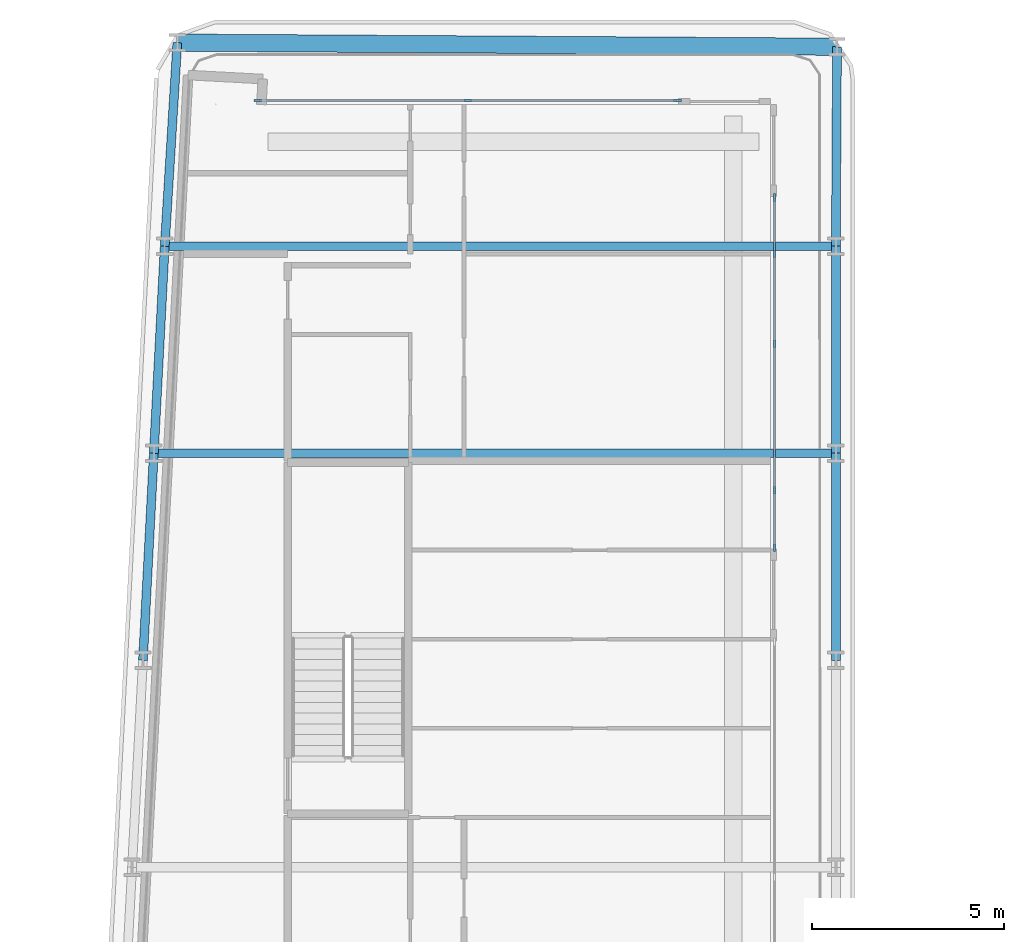
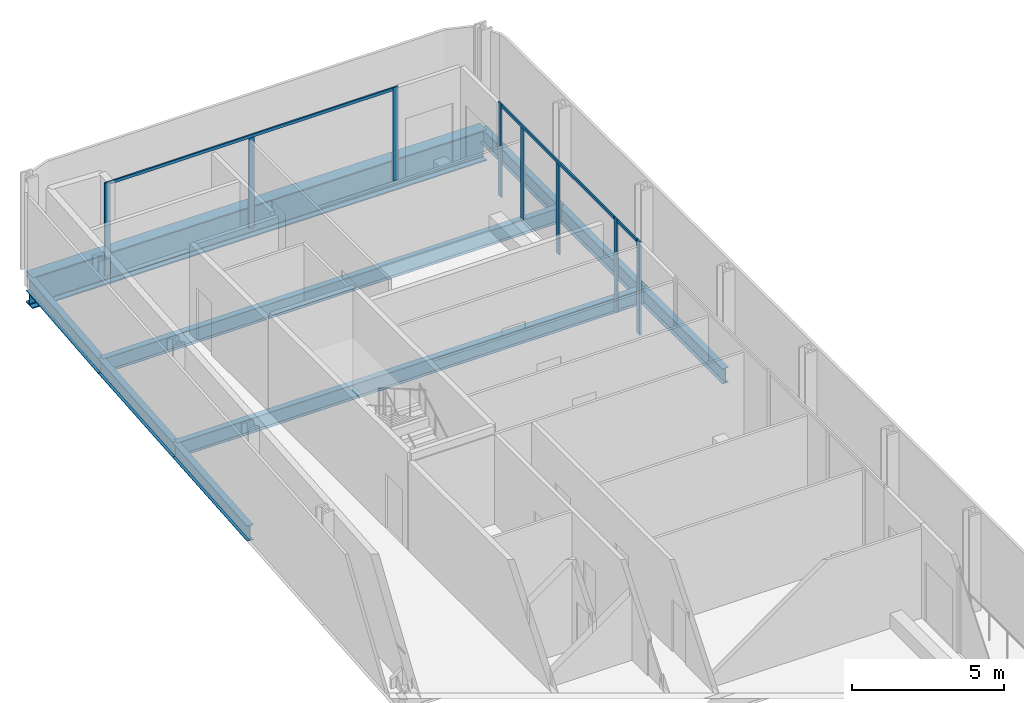
# One storey, part 9 of 29: 11 members, 9 beams, 3 elements without a shape of their own.
"""IFC4 building model written with IfcOpenShell, lengths in metres."""

from ifc_helpers import new_model, si_unit, direction, frame, origin, origin_2d, place, context, subcontext, project, spatial, rectangle, i_section, extrude, material, layer, layer_set, material_profile, profile_set, type_object, element, aggregate, save


model = new_model("IFC4")

# Units and contexts
model_context = context("Model", 3, precision=1e-05, world=origin(), true_north=direction((0.0, 1.0)))
body_context = subcontext(model_context, "Body", "Model", "MODEL_VIEW")
ifc_project = project(units=[si_unit("LENGTHUNIT", "METRE"), si_unit("AREAUNIT", "SQUARE_METRE"), si_unit("VOLUMEUNIT", "CUBIC_METRE"), si_unit("PLANEANGLEUNIT", "RADIAN"), si_unit("MASSUNIT", "GRAM", prefix="KILO")], contexts=[model_context])

# Site, building, storey
site_placement = place(None, origin())
site = spatial("IfcSite", under=ifc_project, at=site_placement, CompositionType="ELEMENT")
building_placement = place(site_placement, origin())
building = spatial("IfcBuilding", under=site, at=building_placement, Name="Kheshtan School and Residences Tower", CompositionType="ELEMENT")
storey_placement = place(building_placement, frame((0.0, 0.0, 61.699951171875)))
storey = spatial("IfcBuildingStorey", under=building, at=storey_placement, Name="L14", CompositionType="ELEMENT", Elevation=61.699951171875)

# Beams
ifc_material_1 = material(Name="Steel ASTM A992 Grade 50", Category="steel")
ifc_material_profile_1 = material_profile(ifc_material_1, i_section(OverallWidth=0.22802734375, OverallDepth=0.60302734375, WebThickness=0.010498046875, FlangeThickness=0.014892578125, FilletRadius=0.013427734375, at=origin_2d()), Name="W610x101")
ifc_profile_set_1 = profile_set([ifc_material_profile_1], Name="Steel ASTM A992 Grade 50")
beam_type_1 = type_object("IfcBeamType", Name="Beam FB5 W610x101 ASTM A992 Grade 50", PredefinedType="BEAM", material=ifc_profile_set_1)
beam_1_placement = place(storey_placement, frame((47.60009765625, 94.199951171875, -0.451416015625), z_axis=(-1.0, 0.0, 0.0), x_axis=(0.0, -1.0, 0.0)))
element("IfcBeam", 1, at=beam_1_placement, inside=storey, type_object=beam_type_1, Name="Floor beam C107", PredefinedType="BEAM", context=body_context, shape_type="SweptSolid", body=[
    extrude(i_section(OverallWidth=0.22802734375, OverallDepth=0.60302734375, WebThickness=0.010498046875, FlangeThickness=0.014892578125, FilletRadius=0.013427734375, at=origin_2d()), origin(), (0.0, 0.0, 1.0), 17.505126953125),
])
beam_2_placement = place(storey_placement, frame((29.81103515625, 88.800048828125, -0.451416015625), z_axis=(1.0, 0.0, 0.0), x_axis=(0.0, 1.0, 0.0)))
element("IfcBeam", 2, at=beam_2_placement, inside=storey, type_object=beam_type_1, Name="Floor beam C098", PredefinedType="BEAM", context=body_context, shape_type="SweptSolid", body=[
    extrude(i_section(OverallWidth=0.22802734375, OverallDepth=0.60302734375, WebThickness=0.010498046875, FlangeThickness=0.014892578125, FilletRadius=0.013427734375, at=origin_2d()), origin(), (0.0, 0.0, 1.0), 17.7890625),
])
ifc_material_profile_2 = material_profile(ifc_material_1, i_section(OverallWidth=0.22998046875, OverallDepth=0.616943359375, WebThickness=0.01318359375, FlangeThickness=0.022216796875, FilletRadius=0.0185546875, at=origin_2d()), Name="W610x140")
ifc_profile_set_2 = profile_set([ifc_material_profile_2], Name="Steel ASTM A992 Grade 50")
beam_type_2 = type_object("IfcBeamType", Name="Beam SP1 W610x140 ASTM A992 Grade 50", PredefinedType="BEAM", material=ifc_profile_set_2)
beam_3_placement = place(storey_placement, frame((47.6298828125, 99.402099609375, -0.45849609375), z_axis=(-0.005725455245, -0.999983609447, 0.0), x_axis=(0.999983609447, -0.005725455245, 0.0)))
element("IfcBeam", 3, at=beam_3_placement, inside=storey, type_object=beam_type_2, Name="Spandrel beam C113-C107", PredefinedType="BEAM", context=body_context, shape_type="SweptSolid", body=[
    extrude(i_section(OverallWidth=0.22998046875, OverallDepth=0.616943359375, WebThickness=0.01318359375, FlangeThickness=0.022216796875, FilletRadius=0.0185546875, at=origin_2d()), origin(), (0.0, 0.0, 1.0), 5.2021484375),
])
beam_4_placement = place(storey_placement, frame((47.60009765625, 94.199951171875, -0.45849609375), z_axis=(0.0, -1.0, 0.0), x_axis=(1.0, 0.0, 0.0)))
element("IfcBeam", 4, at=beam_4_placement, inside=storey, type_object=beam_type_2, Name="Spandrel beam C107-C099", PredefinedType="BEAM", context=body_context, shape_type="SweptSolid", body=[
    extrude(i_section(OverallWidth=0.22998046875, OverallDepth=0.616943359375, WebThickness=0.01318359375, FlangeThickness=0.022216796875, FilletRadius=0.0185546875, at=origin_2d()), origin(), (0.0, 0.0, 1.0), 5.39990234375),
])
beam_5_placement = place(storey_placement, frame((47.60009765625, 88.800048828125, -0.45849609375), z_axis=(0.0, -1.0, 0.0), x_axis=(1.0, 0.0, 0.0)))
element("IfcBeam", 5, at=beam_5_placement, inside=storey, type_object=beam_type_2, Name="Spandrel beam C099-C091", PredefinedType="BEAM", context=body_context, shape_type="SweptSolid", body=[
    extrude(i_section(OverallWidth=0.22998046875, OverallDepth=0.616943359375, WebThickness=0.01318359375, FlangeThickness=0.022216796875, FilletRadius=0.0185546875, at=origin_2d()), origin(), (0.0, 0.0, 1.0), 5.400146484375),
])
beam_6_placement = place(storey_placement, frame((29.527099609375, 83.39990234375, -0.45849609375), z_axis=(0.05250670125, 0.998620571751, 0.0), x_axis=(-0.998620571751, 0.05250670125, 0.0)))
element("IfcBeam", 6, at=beam_6_placement, inside=storey, type_object=beam_type_2, Name="Spandrel beam C090-C098", PredefinedType="BEAM", context=body_context, shape_type="SweptSolid", body=[
    extrude(i_section(OverallWidth=0.22998046875, OverallDepth=0.616943359375, WebThickness=0.01318359375, FlangeThickness=0.022216796875, FilletRadius=0.0185546875, at=origin_2d()), origin(), (0.0, 0.0, 1.0), 5.40771484375),
])
beam_7_placement = place(storey_placement, frame((29.81103515625, 88.800048828125, -0.45849609375), z_axis=(0.05250906864, 0.998620447272, 0.0), x_axis=(-0.998620447272, 0.05250906864, 0.0)))
element("IfcBeam", 7, at=beam_7_placement, inside=storey, type_object=beam_type_2, Name="Spandrel beam C098-C106", PredefinedType="BEAM", context=body_context, shape_type="SweptSolid", body=[
    extrude(i_section(OverallWidth=0.22998046875, OverallDepth=0.616943359375, WebThickness=0.01318359375, FlangeThickness=0.022216796875, FilletRadius=0.0185546875, at=origin_2d()), origin(), (0.0, 0.0, 1.0), 5.407470703125),
])
beam_8_placement = place(storey_placement, frame((30.094970703125, 94.199951171875, -0.45849609375), z_axis=(0.061858321816, 0.998084940284, 0.0), x_axis=(-0.998084940284, 0.061858321816, 0.0)))
element("IfcBeam", 8, at=beam_8_placement, inside=storey, type_object=beam_type_2, Name="Spandrel beam C106-C121", PredefinedType="BEAM", context=body_context, shape_type="SweptSolid", body=[
    extrude(i_section(OverallWidth=0.22998046875, OverallDepth=0.616943359375, WebThickness=0.01318359375, FlangeThickness=0.022216796875, FilletRadius=0.0185546875, at=origin_2d()), origin(), (0.0, 0.0, 1.0), 5.3203125),
])

# Curtain wall, members
ifc_material_2 = material(Name="Clear low-e glass in thermally broken aluminium frame", Category="aluminium")
ifc_layer = layer(ifc_material_2, 0.199951171875)
ifc_layer_set = layer_set([ifc_layer], Name="Curtain wall CW-L")
curtain_wall_type = type_object("IfcCurtainWallType", Name="Curtain wall CW-L", PredefinedType="NOTDEFINED", material=ifc_layer_set)
curtain_wall_1_placement = place(storey_placement, origin())
curtain_wall_1 = element("IfcCurtainWall", 9, at=curtain_wall_1_placement, inside=storey, type_object=curtain_wall_type, Name="Curtain wall CWL7", PredefinedType="NOTDEFINED")
ifc_material_3 = material(Name="Thermally broken aluminium, dark bronze anodised", Category="aluminium")
ifc_material_profile_3 = material_profile(ifc_material_3, rectangle(XDim=0.06005859375, YDim=0.199951171875, at=origin_2d()), Name="CW-L mullion 60x200")
ifc_profile_set_3 = profile_set([ifc_material_profile_3], Name="Thermally broken aluminium, dark bronze anodised")
member_type_1 = type_object("IfcMemberType", Name="CW-L mullion 60x200", PredefinedType="MULLION", material=ifc_profile_set_3)
member_1_placement = place(storey_placement, frame((32.52197265625, 98.0, 0.0), z_axis=(0.0, 0.0, 1.0), x_axis=(0.0, 1.0, 0.0)))
member_1 = element("IfcMember", 10, at=member_1_placement, type_object=member_type_1, Name="CWL7 mullion 1", PredefinedType="MULLION", context=body_context, shape_type="SweptSolid", body=[
    extrude(rectangle(XDim=0.06005859375, YDim=0.199951171875, at=origin_2d()), origin(), (0.0, 0.0, 1.0), 3.75),
])
member_2_placement = place(storey_placement, frame((37.99609375, 98.0, 0.0), z_axis=(0.0, 0.0, 1.0), x_axis=(0.0, 1.0, 0.0)))
member_2 = element("IfcMember", 11, at=member_2_placement, type_object=member_type_1, Name="CWL7 mullion 2", PredefinedType="MULLION", context=body_context, shape_type="SweptSolid", body=[
    extrude(rectangle(XDim=0.06005859375, YDim=0.199951171875, at=origin_2d()), origin(), (0.0, 0.0, 1.0), 3.630126953125),
])
member_3_placement = place(storey_placement, frame((43.469970703125, 98.0, 0.0), z_axis=(0.0, 0.0, 1.0), x_axis=(0.0, 1.0, 0.0)))
member_3 = element("IfcMember", 12, at=member_3_placement, type_object=member_type_1, Name="CWL7 mullion 3", PredefinedType="MULLION", context=body_context, shape_type="SweptSolid", body=[
    extrude(rectangle(XDim=0.06005859375, YDim=0.199951171875, at=origin_2d()), origin(), (0.0, 0.0, 1.0), 3.75),
])

curtain_wall_2_placement = place(storey_placement, origin())
curtain_wall_2 = element("IfcCurtainWall", 13, at=curtain_wall_2_placement, inside=storey, type_object=curtain_wall_type, Name="Curtain wall CWL8c", PredefinedType="NOTDEFINED")
member_4_placement = place(storey_placement, frame((46.0, 95.469970703125, 0.0), z_axis=(0.0, 0.0, 1.0), x_axis=(1.0, 0.0, 0.0)))
member_4 = element("IfcMember", 14, at=member_4_placement, type_object=member_type_1, Name="CWL8c mullion 1", PredefinedType="MULLION", context=body_context, shape_type="SweptSolid", body=[
    extrude(rectangle(XDim=0.06005859375, YDim=0.199951171875, at=origin_2d()), origin(), (0.0, 0.0, 1.0), 3.75),
])
member_5_placement = place(storey_placement, frame((46.0, 94.0, 0.0), z_axis=(0.0, 0.0, 1.0), x_axis=(1.0, 0.0, 0.0)))
member_5 = element("IfcMember", 15, at=member_5_placement, type_object=member_type_1, Name="CWL8c mullion 2", PredefinedType="MULLION", context=body_context, shape_type="SweptSolid", body=[
    extrude(rectangle(XDim=0.06005859375, YDim=0.199951171875, at=origin_2d()), origin(), (0.0, 0.0, 1.0), 3.630126953125),
])
member_6_placement = place(storey_placement, frame((46.0, 91.653076171875, 0.0), z_axis=(0.0, 0.0, 1.0), x_axis=(1.0, 0.0, 0.0)))
member_6 = element("IfcMember", 16, at=member_6_placement, type_object=member_type_1, Name="CWL8c mullion 3", PredefinedType="MULLION", context=body_context, shape_type="SweptSolid", body=[
    extrude(rectangle(XDim=0.06005859375, YDim=0.199951171875, at=origin_2d()), origin(), (0.0, 0.0, 1.0), 3.630126953125),
])
member_7_placement = place(storey_placement, frame((46.0, 87.8359375, 0.0), z_axis=(0.0, 0.0, 1.0), x_axis=(1.0, 0.0, 0.0)))
member_7 = element("IfcMember", 17, at=member_7_placement, type_object=member_type_1, Name="CWL8c mullion 4", PredefinedType="MULLION", context=body_context, shape_type="SweptSolid", body=[
    extrude(rectangle(XDim=0.06005859375, YDim=0.199951171875, at=origin_2d()), origin(), (0.0, 0.0, 1.0), 3.75),
])

# Curtain wall, member
curtain_wall_3_placement = place(storey_placement, origin())
curtain_wall_3 = element("IfcCurtainWall", 18, at=curtain_wall_3_placement, inside=storey, type_object=curtain_wall_type, Name="Curtain wall CWL8a", PredefinedType="NOTDEFINED")
member_8_placement = place(storey_placement, frame((46.0, 86.3359375, 0.0), z_axis=(0.0, 0.0, 1.0), x_axis=(1.0, 0.0, 0.0)))
member_8 = element("IfcMember", 19, at=member_8_placement, type_object=member_type_1, Name="CWL8a mullion 2", PredefinedType="MULLION", context=body_context, shape_type="SweptSolid", body=[
    extrude(rectangle(XDim=0.06005859375, YDim=0.199951171875, at=origin_2d()), origin(), (0.0, 0.0, 1.0), 3.75),
])

# Member
ifc_material_profile_4 = material_profile(ifc_material_3, rectangle(XDim=0.06005859375, YDim=0.1201171875, at=origin_2d()), Name="CW-L transom 60x120")
ifc_profile_set_4 = profile_set([ifc_material_profile_4], Name="Thermally broken aluminium, dark bronze anodised")
member_type_2 = type_object("IfcMemberType", Name="CW-L transom 60x120", PredefinedType="USERDEFINED", material=ifc_profile_set_4)
member_9_placement = place(storey_placement, frame((32.552001953125, 98.0, 3.68994140625), z_axis=(1.0, 0.0, 0.0), x_axis=(0.0, 1.0, 0.0)))
member_9 = element("IfcMember", 20, at=member_9_placement, type_object=member_type_2, Name="CWL7 transom 1", ObjectType="TRANSOM", PredefinedType="USERDEFINED", context=body_context, shape_type="SweptSolid", body=[
    extrude(rectangle(XDim=0.06005859375, YDim=0.1201171875, at=origin_2d()), origin(), (0.0, 0.0, 1.0), 10.887939453125),
])

aggregate(curtain_wall_1, [member_1, member_2, member_3, member_9])

member_10_placement = place(storey_placement, frame((46.0, 95.43994140625, 3.68994140625), z_axis=(0.0, -1.0, 0.0), x_axis=(1.0, 0.0, 0.0)))
member_10 = element("IfcMember", 21, at=member_10_placement, type_object=member_type_2, Name="CWL8c transom 1", ObjectType="TRANSOM", PredefinedType="USERDEFINED", context=body_context, shape_type="SweptSolid", body=[
    extrude(rectangle(XDim=0.06005859375, YDim=0.1201171875, at=origin_2d()), origin(), (0.0, 0.0, 1.0), 7.573974609375),
])

aggregate(curtain_wall_2, [member_4, member_5, member_6, member_7, member_10])

member_11_placement = place(storey_placement, frame((46.0, 87.805908203125, 3.68994140625), z_axis=(0.0, -1.0, 0.0), x_axis=(1.0, 0.0, 0.0)))
member_11 = element("IfcMember", 22, at=member_11_placement, type_object=member_type_2, Name="CWL8a transom 1", ObjectType="TRANSOM", PredefinedType="USERDEFINED", context=body_context, shape_type="SweptSolid", body=[
    extrude(rectangle(XDim=0.06005859375, YDim=0.1201171875, at=origin_2d()), origin(), (0.0, 0.0, 1.0), 1.43994140625),
])

aggregate(curtain_wall_3, [member_8, member_11])

# Beam
ifc_material_profile_5 = material_profile(ifc_material_1, i_section(OverallWidth=0.449951171875, OverallDepth=1.25, WebThickness=0.02490234375, FlangeThickness=0.044921875, FilletRadius=0.03759765625, at=origin_2d()), Name="WWF1250x546")
ifc_profile_set_5 = profile_set([ifc_material_profile_5], Name="Steel ASTM A992 Grade 50")
beam_type_3 = type_object("IfcBeamType", Name="Transfer girder TG4 WWF1250x546 ASTM A992 Grade 50", PredefinedType="BEAM", material=ifc_profile_set_5)
beam_9_placement = place(storey_placement, frame((30.424072265625, 99.510009765625, -0.77490234375), z_axis=(0.999980333297, -0.006271604219, 0.0), x_axis=(0.006271604219, 0.999980333297, 0.0)))
element("IfcBeam", 23, at=beam_9_placement, inside=storey, type_object=beam_type_3, Name="Transfer girder C121-C113", PredefinedType="BEAM", context=body_context, shape_type="SweptSolid", body=[
    extrude(i_section(OverallWidth=0.449951171875, OverallDepth=1.25, WebThickness=0.02490234375, FlangeThickness=0.044921875, FilletRadius=0.03759765625, at=origin_2d()), origin(), (0.0, 0.0, 1.0), 17.2060546875),
])

save(model, "model.ifc")
